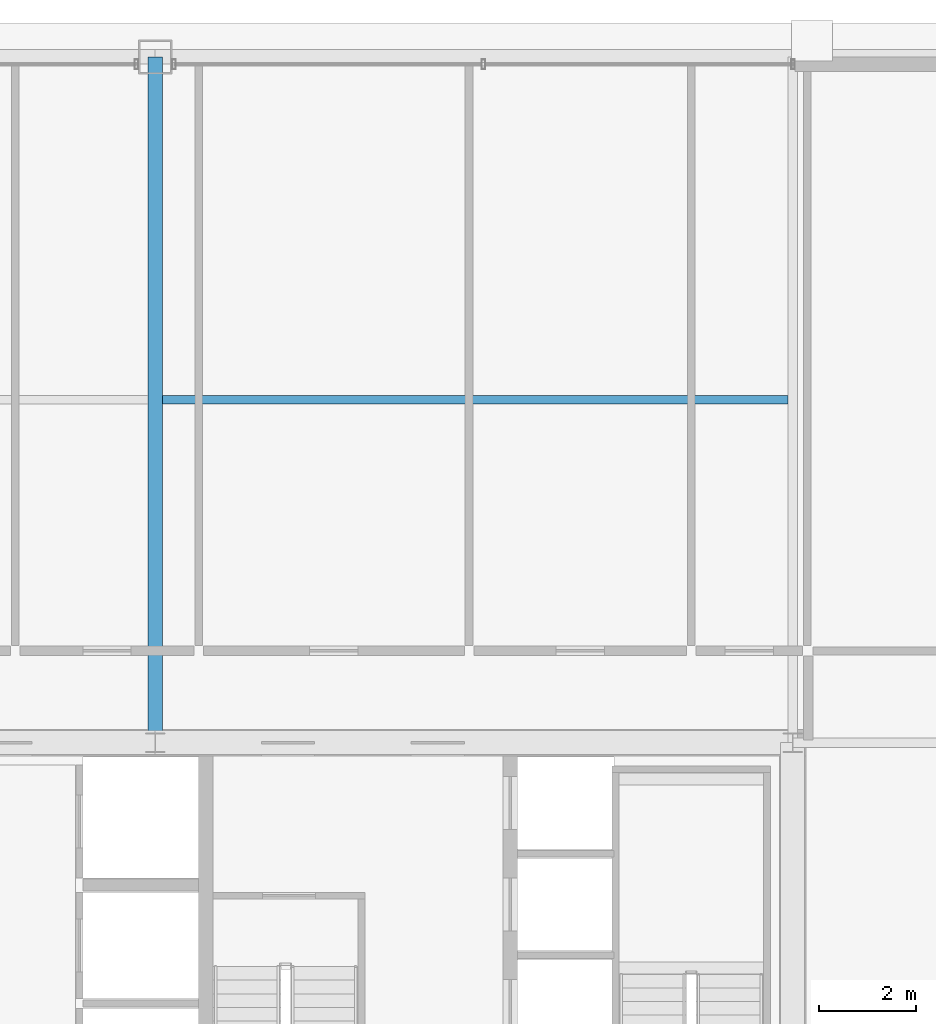
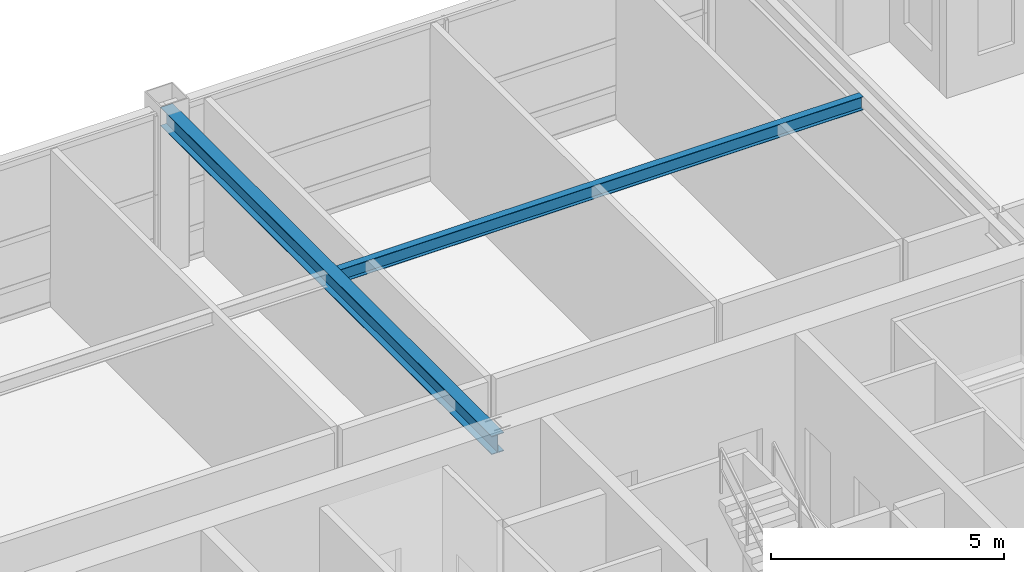
# One storey, part 19 of 26: 2 beams.
"""IFC4 building model written with IfcOpenShell, lengths in metres."""

import ifcopenshell
import ifcopenshell.guid

model = None  # the IFC model being written
_history = None  # IfcOwnerHistory: only IFC2X3 demands one
_inside = {}  # id of a spatial element -> (the spatial element, [elements in it])
_under = {}  # id of a project, library or spatial element -> (it, [spatial elements below it])
_declared = {}  # id of a project -> (the project, [libraries it declares])
_typed = {}  # id of a type object -> (the type object, [elements of that type])
_made_of = {}  # id of a material, layer set ... -> (it, [elements and type objects made of it])


def new_model(schema):
    """Start an empty IFC model of exactly this schema.

    Asked for "IFC4X3", IfcOpenShell would pick the latest addendum, in which some entities
    have other attributes; the version numbers below select the first issue.
    IFC2X3 requires an IfcOwnerHistory on every rooted entity: one is made here for all.
    """
    global model, _history
    if schema == "IFC4X3":
        model = ifcopenshell.file(schema_version=(4, 3, 0, 0))
    else:
        model = ifcopenshell.file(schema=schema)
    _inside.clear()
    _under.clear()
    _declared.clear()
    _typed.clear()
    _made_of.clear()
    _history = None
    if model.schema == "IFC2X3":
        org = make("IfcOrganization", Name="unknown")
        user = make(
            "IfcPersonAndOrganization",
            ThePerson=make("IfcPerson", FamilyName="unknown"),
            TheOrganization=org,
        )
        app = make(
            "IfcApplication",
            ApplicationDeveloper=org,
            Version="unknown",
            ApplicationFullName="unknown",
            ApplicationIdentifier="unknown",
        )
        _history = make(
            "IfcOwnerHistory",
            OwningUser=user,
            OwningApplication=app,
            ChangeAction="ADDED",
            CreationDate=0,
        )
    return model


def make(cls, **values):
    """One entity of the class cls with the attributes given. An attribute that is None is left unset."""
    return model.create_entity(
        cls, **{name: value for name, value in values.items() if value is not None}
    )


def rooted(cls, **values):
    """An entity with a GlobalId (a new one), such as an element, a storey or a relation."""
    return make(cls, GlobalId=ifcopenshell.guid.new(), OwnerHistory=_history, **values)


def si_unit(unit_type, name, prefix=None):
    """IfcSIUnit, for example si_unit("LENGTHUNIT", "METRE", prefix="MILLI")."""
    return make("IfcSIUnit", UnitType=unit_type, Prefix=prefix, Name=name)


def assignment(units):
    """IfcUnitAssignment: the units of a project."""
    return None if units is None else make("IfcUnitAssignment", Units=units)


def point(xyz):
    """IfcCartesianPoint."""
    return None if xyz is None else make("IfcCartesianPoint", Coordinates=xyz)


def direction(xyz):
    """IfcDirection."""
    return None if xyz is None else make("IfcDirection", DirectionRatios=xyz)


def frame(location, z_axis=None, x_axis=None):
    """IfcAxis2Placement3D, a coordinate frame: its origin and axes. An axis left out is left unset."""
    return make(
        "IfcAxis2Placement3D",
        Location=point(location),
        Axis=direction(z_axis),
        RefDirection=direction(x_axis),
    )


def frame_2d(location, x_axis=None):
    """IfcAxis2Placement2D, a coordinate frame in the plane: its origin and x axis."""
    return make(
        "IfcAxis2Placement2D", Location=point(location), RefDirection=direction(x_axis)
    )


def origin():
    """The frame at (0, 0, 0) with its axes left unset."""
    return frame((0.0, 0.0, 0.0))


def origin_2d():
    """The frame at (0, 0) in the plane with its x axis left unset."""
    return frame_2d((0.0, 0.0))


def place(relative_to, where):
    """IfcLocalPlacement: puts the frame where relative to a parent placement (None: the world)."""
    return make(
        "IfcLocalPlacement", PlacementRelTo=relative_to, RelativePlacement=where
    )


def context(
    kind, dimensions, precision=None, world=None, true_north=None, identifier=None
):
    """IfcGeometricRepresentationContext, for example the 3D "Model" context."""
    return make(
        "IfcGeometricRepresentationContext",
        ContextIdentifier=identifier,
        ContextType=kind,
        CoordinateSpaceDimension=dimensions,
        Precision=precision,
        WorldCoordinateSystem=world,
        TrueNorth=true_north,
    )


def subcontext(parent, identifier, kind, view, scale=None):
    """IfcGeometricRepresentationSubContext, for example "Body" below "Model"."""
    return make(
        "IfcGeometricRepresentationSubContext",
        ContextIdentifier=identifier,
        ContextType=kind,
        ParentContext=parent,
        TargetScale=scale,
        TargetView=view,
    )


def project(units=None, contexts=None):
    """IfcProject with its units and contexts."""
    return rooted(
        "IfcProject",
        Name="project",
        RepresentationContexts=contexts,
        UnitsInContext=assignment(units),
    )


def spatial(cls, under=None, at=None, **own):
    """A site, building, storey or space (cls), placed at a placement, below another one or the project."""
    s = rooted(cls, ObjectPlacement=at, **own)
    if under is not None:
        _under.setdefault(under.id(), (under, []))[1].append(s)
    return s


def profile(cls, at=None, kind="AREA", **sizes):
    """A parametric profile (cls). Its sizes go by their IFC names, for example OverallWidth=200.0."""
    return make(cls, ProfileType=kind, Position=at, **sizes)


def i_section(**sizes):
    """IfcIShapeProfileDef."""
    return profile("IfcIShapeProfileDef", **sizes)


def extrude(swept, where, along, depth):
    """IfcExtrudedAreaSolid: the profile swept, set in the frame where, extruded along a direction by depth."""
    return make(
        "IfcExtrudedAreaSolid",
        SweptArea=swept,
        Position=where,
        ExtrudedDirection=direction(along),
        Depth=depth,
    )


def shape(context_of_items, identifier, shape_type, items):
    """IfcShapeRepresentation: the items that make up one representation, for example the "Body"."""
    return make(
        "IfcShapeRepresentation",
        ContextOfItems=context_of_items,
        RepresentationIdentifier=identifier,
        RepresentationType=shape_type,
        Items=items,
    )


def source(mapping_origin, context_of_items, identifier, shape_type, items):
    """IfcRepresentationMap: a shape defined once, which mapped items show again and again."""
    return make(
        "IfcRepresentationMap",
        MappingOrigin=mapping_origin,
        MappedRepresentation=shape(context_of_items, identifier, shape_type, items),
    )


def transform(
    local_origin,
    x_axis=None,
    y_axis=None,
    z_axis=None,
    scale=None,
    scale2=None,
    scale3=None,
    uniform=True,
):
    """IfcCartesianTransformationOperator3D, or its non-uniform kind. x_axis, y_axis, z_axis: its Axis1, 2, 3."""
    if uniform:
        return make(
            "IfcCartesianTransformationOperator3D",
            Axis1=direction(x_axis),
            Axis2=direction(y_axis),
            LocalOrigin=point(local_origin),
            Scale=scale,
            Axis3=direction(z_axis),
        )
    return make(
        "IfcCartesianTransformationOperator3DnonUniform",
        Axis1=direction(x_axis),
        Axis2=direction(y_axis),
        LocalOrigin=point(local_origin),
        Scale=scale,
        Axis3=direction(z_axis),
        Scale2=scale2,
        Scale3=scale3,
    )


def mapped(mapping_source, mapping_target):
    """IfcMappedItem: shows the shape of a source again, moved by a transform."""
    return make(
        "IfcMappedItem", MappingSource=mapping_source, MappingTarget=mapping_target
    )


def material(Name=None, Category=None):
    """IfcMaterial."""
    return make("IfcMaterial", Name=Name, Category=Category)


def material_profile(
    of_material, cross_section, Name=None, Category=None, Priority=None
):
    """IfcMaterialProfile: a cross section and its material."""
    return make(
        "IfcMaterialProfile",
        Name=Name,
        Material=of_material,
        Profile=cross_section,
        Priority=Priority,
        Category=Category,
    )


def profile_set(profiles, Name=None, composite=None):
    """IfcMaterialProfileSet."""
    return make(
        "IfcMaterialProfileSet",
        Name=Name,
        MaterialProfiles=profiles,
        CompositeProfile=composite,
    )


def made_of(thing, what):
    """Note that an element or type object is made of a material, layer set ...; save() writes the relation."""
    if what is not None:
        _made_of.setdefault(what.id(), (what, []))[1].append(thing)
    return thing


def type_object(cls, material=None, **own):
    """A type object (cls), such as IfcWallType, which elements share."""
    return made_of(rooted(cls, **own), material)


def element(
    cls,
    number,
    at=None,
    inside=None,
    cuts=None,
    type_object=None,
    material=None,
    context=None,
    identifier="Body",
    shape_type=None,
    held_by="IfcProductDefinitionShape",
    body=None,
    shapes=None,
    **own,
):
    """One element of the class cls, such as IfcWall. Its Tag is "e" and its number.

    at: its placement. inside: the storey or other place that contains it. cuts: it is an
    opening in that element (IfcRelVoidsElement). A single representation is given by context,
    identifier, shape_type and body (its items); several are given by shapes. held_by: the class
    of the entity that holds the representations. save() writes the other relations.
    """
    e = rooted(cls, Tag="e%d" % number, ObjectPlacement=at, **own)
    if body is not None:
        shapes = [shape(context, identifier, shape_type, body)]
    if shapes is not None:
        e.Representation = make(held_by, Representations=shapes)
    if inside is not None:
        _inside.setdefault(inside.id(), (inside, []))[1].append(e)
    if cuts is not None:
        rooted(
            "IfcRelVoidsElement", RelatingBuildingElement=cuts, RelatedOpeningElement=e
        )
    if type_object is not None:
        _typed.setdefault(type_object.id(), (type_object, []))[1].append(e)
    return made_of(e, material)


def aggregate(whole, parts):
    """IfcRelAggregates: a whole, such as a stair, and the parts it consists of."""
    return rooted("IfcRelAggregates", RelatingObject=whole, RelatedObjects=parts)


def save(model, path):
    """Write the relations noted so far, then the file.

    IfcRelAggregates (storeys below a building ...), IfcRelContainedInSpatialStructure (elements
    in a storey), IfcRelDefinesByType, IfcRelAssociatesMaterial and IfcRelDeclares: one each for
    every whole, place, type object, material and project.
    """
    for whole, parts in _under.values():
        aggregate(whole, parts)
    for where, things in _inside.values():
        rooted(
            "IfcRelContainedInSpatialStructure",
            RelatedElements=things,
            RelatingStructure=where,
        )
    for kind, things in _typed.values():
        rooted("IfcRelDefinesByType", RelatedObjects=things, RelatingType=kind)
    for what, things in _made_of.values():
        rooted("IfcRelAssociatesMaterial", RelatedObjects=things, RelatingMaterial=what)
    for by, libraries in _declared.values():
        rooted("IfcRelDeclares", RelatingContext=by, RelatedDefinitions=libraries)
    model.write(path)


model = new_model("IFC4")

# Units and contexts
model_context = context("Model", 3, precision=1e-05, world=origin(), true_north=direction((0.0, 1.0)))
body_context = subcontext(model_context, "Body", "Model", "MODEL_VIEW")
ifc_project = project(units=[si_unit("LENGTHUNIT", "METRE"), si_unit("AREAUNIT", "SQUARE_METRE"), si_unit("VOLUMEUNIT", "CUBIC_METRE"), si_unit("PLANEANGLEUNIT", "RADIAN"), si_unit("MASSUNIT", "GRAM", prefix="KILO"), si_unit("THERMODYNAMICTEMPERATUREUNIT", "KELVIN"), si_unit("POWERUNIT", "WATT")], contexts=[model_context])

# Site, building, storey
site_placement = place(None, origin())
site = spatial("IfcSite", under=ifc_project, at=site_placement, CompositionType="ELEMENT")
building_placement = place(site_placement, origin())
building = spatial("IfcBuilding", under=site, at=building_placement, Name="Yuzanri Waterfront Tower", CompositionType="ELEMENT")
storey_placement = place(building_placement, frame((0.0, 0.0, 259.10009765625)))
storey = spatial("IfcBuildingStorey", under=building, at=storey_placement, Name="L69", CompositionType="ELEMENT", Elevation=259.10009765625)

# Beams
ifc_material_1 = material(Name="Steel Q355B", Category="steel")
ifc_material_profile_1 = material_profile(ifc_material_1, i_section(OverallWidth=0.300048828125, OverallDepth=0.488037109375, WebThickness=0.010986328125, FlangeThickness=0.01806640625, at=origin_2d()), Name="HM 488x300x11x18")
ifc_profile_set_1 = profile_set([ifc_material_profile_1], Name="Steel Q355B")
beam_type_1 = type_object("IfcBeamType", Name="Primary Floor Girder Q355B HM 488x300", PredefinedType="BEAM", material=ifc_profile_set_1)
shared_shape_1 = source(origin(), body_context, "Body", "SweptSolid", [
    extrude(i_section(OverallWidth=0.300048828125, OverallDepth=0.488037109375, WebThickness=0.010986328125, FlangeThickness=0.01806640625, at=origin_2d()), origin(), (0.0, 0.0, 1.0), 14.199951171875),
])
beam_1_placement = place(storey_placement, frame((37.0, 32.199951171875, 3.8759765625), z_axis=(0.0, 1.0, 0.0), x_axis=(-1.0, 0.0, 0.0)))
element("IfcBeam", 1, at=beam_1_placement, inside=storey, type_object=beam_type_1, Name="L69 North Grid Girder", PredefinedType="BEAM", context=body_context, shape_type="MappedRepresentation", body=[
    mapped(shared_shape_1, transform((0.0, 0.0, 0.0), scale=1.0)),
])
ifc_material_2 = material(Name="Steel Q355B", Category="steel")
ifc_material_profile_2 = material_profile(ifc_material_2, i_section(OverallWidth=0.175048828125, OverallDepth=0.35009765625, WebThickness=0.007080078125, FlangeThickness=0.010986328125, at=origin_2d()), Name="HN 350x175x7x11")
ifc_profile_set_2 = profile_set([ifc_material_profile_2], Name="Steel Q355B")
beam_type_2 = type_object("IfcBeamType", Name="Floor Joist Q355B HN 350x175", PredefinedType="JOIST", material=ifc_profile_set_2)
shared_shape_2 = source(origin(), body_context, "Body", "SweptSolid", [
    extrude(i_section(OverallWidth=0.175048828125, OverallDepth=0.35009765625, WebThickness=0.007080078125, FlangeThickness=0.010986328125, at=origin_2d()), origin(), (0.0, 0.0, 1.0), 12.9501953125),
])
beam_2_placement = place(storey_placement, frame((37.14990234375, 39.300048828125, 3.94482421875), z_axis=(1.0, 0.0, 0.0), x_axis=(0.0, 1.0, 0.0)))
element("IfcBeam", 2, at=beam_2_placement, inside=storey, type_object=beam_type_2, Name="L69 North Bay Joist E", PredefinedType="JOIST", context=body_context, shape_type="MappedRepresentation", body=[
    mapped(shared_shape_2, transform((0.0, 0.0, 0.0), scale=1.0)),
])

save(model, "model.ifc")
